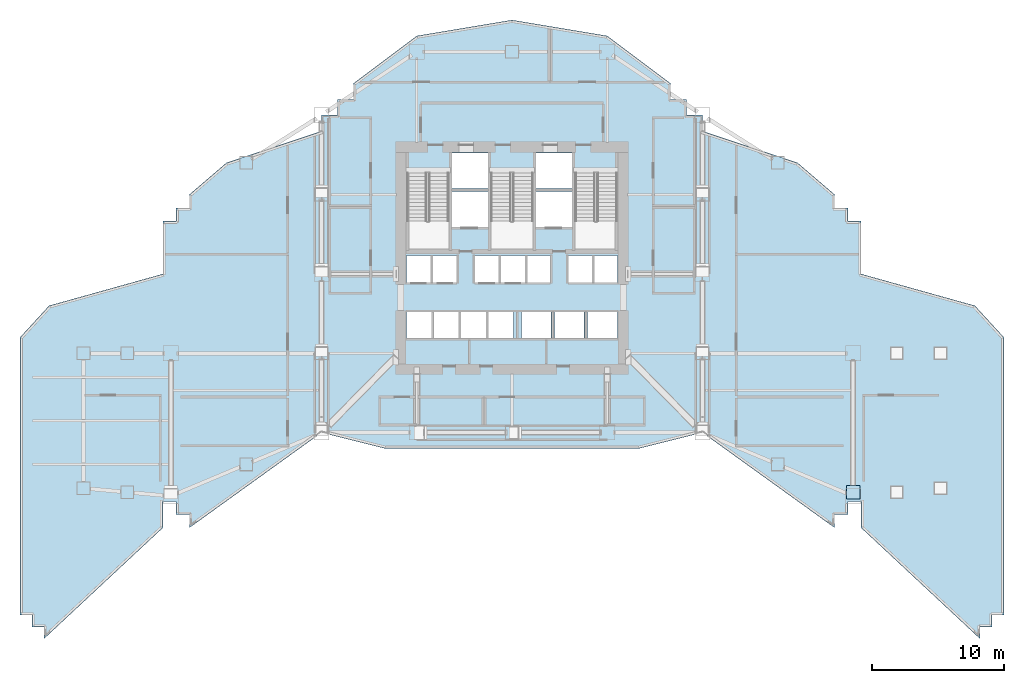
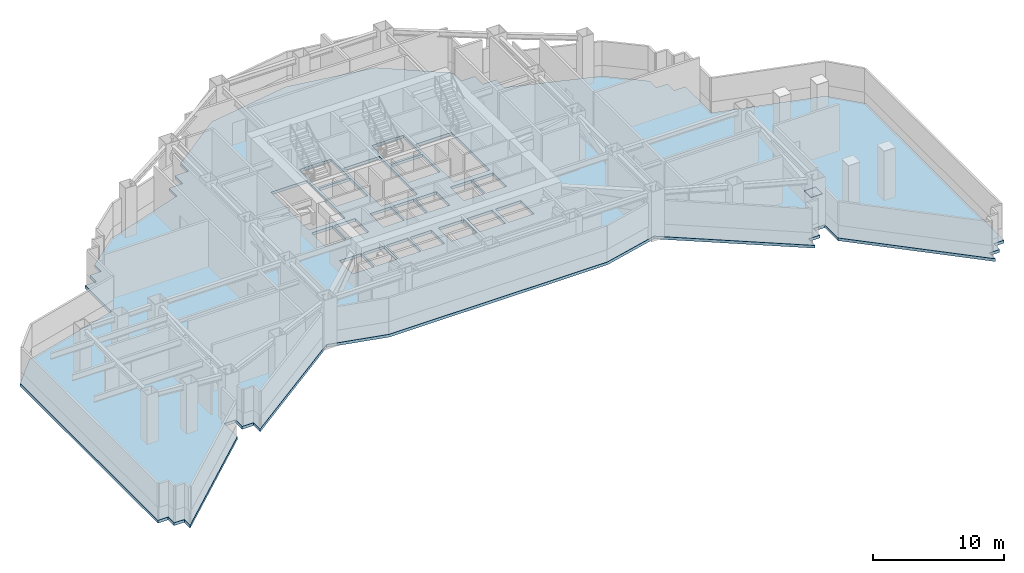
# One storey, part 4 of 23: 1 plate, 1 slab.
"""IFC4 building model written with IfcOpenShell, lengths in metres."""

import ifcopenshell
import ifcopenshell.guid

model = None  # the IFC model being written
_history = None  # IfcOwnerHistory: only IFC2X3 demands one
_inside = {}  # id of a spatial element -> (the spatial element, [elements in it])
_under = {}  # id of a project, library or spatial element -> (it, [spatial elements below it])
_declared = {}  # id of a project -> (the project, [libraries it declares])
_typed = {}  # id of a type object -> (the type object, [elements of that type])
_made_of = {}  # id of a material, layer set ... -> (it, [elements and type objects made of it])


def new_model(schema):
    """Start an empty IFC model of exactly this schema.

    Asked for "IFC4X3", IfcOpenShell would pick the latest addendum, in which some entities
    have other attributes; the version numbers below select the first issue.
    IFC2X3 requires an IfcOwnerHistory on every rooted entity: one is made here for all.
    """
    global model, _history
    if schema == "IFC4X3":
        model = ifcopenshell.file(schema_version=(4, 3, 0, 0))
    else:
        model = ifcopenshell.file(schema=schema)
    _inside.clear()
    _under.clear()
    _declared.clear()
    _typed.clear()
    _made_of.clear()
    _history = None
    if model.schema == "IFC2X3":
        org = make("IfcOrganization", Name="unknown")
        user = make(
            "IfcPersonAndOrganization",
            ThePerson=make("IfcPerson", FamilyName="unknown"),
            TheOrganization=org,
        )
        app = make(
            "IfcApplication",
            ApplicationDeveloper=org,
            Version="unknown",
            ApplicationFullName="unknown",
            ApplicationIdentifier="unknown",
        )
        _history = make(
            "IfcOwnerHistory",
            OwningUser=user,
            OwningApplication=app,
            ChangeAction="ADDED",
            CreationDate=0,
        )
    return model


def make(cls, **values):
    """One entity of the class cls with the attributes given. An attribute that is None is left unset."""
    return model.create_entity(
        cls, **{name: value for name, value in values.items() if value is not None}
    )


def rooted(cls, **values):
    """An entity with a GlobalId (a new one), such as an element, a storey or a relation."""
    return make(cls, GlobalId=ifcopenshell.guid.new(), OwnerHistory=_history, **values)


def si_unit(unit_type, name, prefix=None):
    """IfcSIUnit, for example si_unit("LENGTHUNIT", "METRE", prefix="MILLI")."""
    return make("IfcSIUnit", UnitType=unit_type, Prefix=prefix, Name=name)


def assignment(units):
    """IfcUnitAssignment: the units of a project."""
    return None if units is None else make("IfcUnitAssignment", Units=units)


def point(xyz):
    """IfcCartesianPoint."""
    return None if xyz is None else make("IfcCartesianPoint", Coordinates=xyz)


def direction(xyz):
    """IfcDirection."""
    return None if xyz is None else make("IfcDirection", DirectionRatios=xyz)


def frame(location, z_axis=None, x_axis=None):
    """IfcAxis2Placement3D, a coordinate frame: its origin and axes. An axis left out is left unset."""
    return make(
        "IfcAxis2Placement3D",
        Location=point(location),
        Axis=direction(z_axis),
        RefDirection=direction(x_axis),
    )


def frame_2d(location, x_axis=None):
    """IfcAxis2Placement2D, a coordinate frame in the plane: its origin and x axis."""
    return make(
        "IfcAxis2Placement2D", Location=point(location), RefDirection=direction(x_axis)
    )


def origin():
    """The frame at (0, 0, 0) with its axes left unset."""
    return frame((0.0, 0.0, 0.0))


def origin_2d():
    """The frame at (0, 0) in the plane with its x axis left unset."""
    return frame_2d((0.0, 0.0))


def place(relative_to, where):
    """IfcLocalPlacement: puts the frame where relative to a parent placement (None: the world)."""
    return make(
        "IfcLocalPlacement", PlacementRelTo=relative_to, RelativePlacement=where
    )


def context(
    kind, dimensions, precision=None, world=None, true_north=None, identifier=None
):
    """IfcGeometricRepresentationContext, for example the 3D "Model" context."""
    return make(
        "IfcGeometricRepresentationContext",
        ContextIdentifier=identifier,
        ContextType=kind,
        CoordinateSpaceDimension=dimensions,
        Precision=precision,
        WorldCoordinateSystem=world,
        TrueNorth=true_north,
    )


def subcontext(parent, identifier, kind, view, scale=None):
    """IfcGeometricRepresentationSubContext, for example "Body" below "Model"."""
    return make(
        "IfcGeometricRepresentationSubContext",
        ContextIdentifier=identifier,
        ContextType=kind,
        ParentContext=parent,
        TargetScale=scale,
        TargetView=view,
    )


def project(units=None, contexts=None):
    """IfcProject with its units and contexts."""
    return rooted(
        "IfcProject",
        Name="project",
        RepresentationContexts=contexts,
        UnitsInContext=assignment(units),
    )


def spatial(cls, under=None, at=None, **own):
    """A site, building, storey or space (cls), placed at a placement, below another one or the project."""
    s = rooted(cls, ObjectPlacement=at, **own)
    if under is not None:
        _under.setdefault(under.id(), (under, []))[1].append(s)
    return s


def polyline(points):
    """IfcPolyline through the points."""
    return make("IfcPolyline", Points=[point(p) for p in points])


def profile(cls, at=None, kind="AREA", **sizes):
    """A parametric profile (cls). Its sizes go by their IFC names, for example OverallWidth=200.0."""
    return make(cls, ProfileType=kind, Position=at, **sizes)


def rectangle(**sizes):
    """IfcRectangleProfileDef."""
    return profile("IfcRectangleProfileDef", **sizes)


def outline(outer, holes=None, kind="AREA"):
    """IfcArbitraryClosedProfileDef: a profile drawn as a closed curve; with holes, ...WithVoids."""
    if holes is None:
        return make("IfcArbitraryClosedProfileDef", ProfileType=kind, OuterCurve=outer)
    return make(
        "IfcArbitraryProfileDefWithVoids",
        ProfileType=kind,
        OuterCurve=outer,
        InnerCurves=holes,
    )


def extrude(swept, where, along, depth):
    """IfcExtrudedAreaSolid: the profile swept, set in the frame where, extruded along a direction by depth."""
    return make(
        "IfcExtrudedAreaSolid",
        SweptArea=swept,
        Position=where,
        ExtrudedDirection=direction(along),
        Depth=depth,
    )


def shape(context_of_items, identifier, shape_type, items):
    """IfcShapeRepresentation: the items that make up one representation, for example the "Body"."""
    return make(
        "IfcShapeRepresentation",
        ContextOfItems=context_of_items,
        RepresentationIdentifier=identifier,
        RepresentationType=shape_type,
        Items=items,
    )


def material(Name=None, Category=None):
    """IfcMaterial."""
    return make("IfcMaterial", Name=Name, Category=Category)


def layer(
    of_material, thickness, ventilated=None, Name=None, Category=None, Priority=None
):
    """IfcMaterialLayer: one layer of a wall or slab, of a material (None: an air gap)."""
    return make(
        "IfcMaterialLayer",
        Material=of_material,
        LayerThickness=thickness,
        IsVentilated=ventilated,
        Name=Name,
        Category=Category,
        Priority=Priority,
    )


def layer_set(layers, Name=None):
    """IfcMaterialLayerSet."""
    return make("IfcMaterialLayerSet", MaterialLayers=layers, LayerSetName=Name)


def made_of(thing, what):
    """Note that an element or type object is made of a material, layer set ...; save() writes the relation."""
    if what is not None:
        _made_of.setdefault(what.id(), (what, []))[1].append(thing)
    return thing


def type_object(cls, material=None, **own):
    """A type object (cls), such as IfcWallType, which elements share."""
    return made_of(rooted(cls, **own), material)


def element(
    cls,
    number,
    at=None,
    inside=None,
    cuts=None,
    type_object=None,
    material=None,
    context=None,
    identifier="Body",
    shape_type=None,
    held_by="IfcProductDefinitionShape",
    body=None,
    shapes=None,
    **own,
):
    """One element of the class cls, such as IfcWall. Its Tag is "e" and its number.

    at: its placement. inside: the storey or other place that contains it. cuts: it is an
    opening in that element (IfcRelVoidsElement). A single representation is given by context,
    identifier, shape_type and body (its items); several are given by shapes. held_by: the class
    of the entity that holds the representations. save() writes the other relations.
    """
    e = rooted(cls, Tag="e%d" % number, ObjectPlacement=at, **own)
    if body is not None:
        shapes = [shape(context, identifier, shape_type, body)]
    if shapes is not None:
        e.Representation = make(held_by, Representations=shapes)
    if inside is not None:
        _inside.setdefault(inside.id(), (inside, []))[1].append(e)
    if cuts is not None:
        rooted(
            "IfcRelVoidsElement", RelatingBuildingElement=cuts, RelatedOpeningElement=e
        )
    if type_object is not None:
        _typed.setdefault(type_object.id(), (type_object, []))[1].append(e)
    return made_of(e, material)


def aggregate(whole, parts):
    """IfcRelAggregates: a whole, such as a stair, and the parts it consists of."""
    return rooted("IfcRelAggregates", RelatingObject=whole, RelatedObjects=parts)


def save(model, path):
    """Write the relations noted so far, then the file.

    IfcRelAggregates (storeys below a building ...), IfcRelContainedInSpatialStructure (elements
    in a storey), IfcRelDefinesByType, IfcRelAssociatesMaterial and IfcRelDeclares: one each for
    every whole, place, type object, material and project.
    """
    for whole, parts in _under.values():
        aggregate(whole, parts)
    for where, things in _inside.values():
        rooted(
            "IfcRelContainedInSpatialStructure",
            RelatedElements=things,
            RelatingStructure=where,
        )
    for kind, things in _typed.values():
        rooted("IfcRelDefinesByType", RelatedObjects=things, RelatingType=kind)
    for what, things in _made_of.values():
        rooted("IfcRelAssociatesMaterial", RelatedObjects=things, RelatingMaterial=what)
    for by, libraries in _declared.values():
        rooted("IfcRelDeclares", RelatingContext=by, RelatedDefinitions=libraries)
    model.write(path)


model = new_model("IFC4")

# Units and contexts
model_context = context("Model", 3, precision=1e-05, world=origin(), true_north=direction((0.0, 1.0)))
body_context = subcontext(model_context, "Body", "Model", "MODEL_VIEW")
ifc_project = project(units=[si_unit("LENGTHUNIT", "METRE"), si_unit("AREAUNIT", "SQUARE_METRE"), si_unit("VOLUMEUNIT", "CUBIC_METRE"), si_unit("PLANEANGLEUNIT", "RADIAN"), si_unit("MASSUNIT", "GRAM", prefix="KILO")], contexts=[model_context])

# Site, building, storey
site_placement = place(None, origin())
site = spatial("IfcSite", under=ifc_project, at=site_placement, CompositionType="ELEMENT")
building_placement = place(site_placement, origin())
building = spatial("IfcBuilding", under=site, at=building_placement, Name="Haolan Belvedere Tower", CompositionType="ELEMENT")
storey_placement = place(building_placement, frame((0.0, 0.0, 89.39990234375)))
storey = spatial("IfcBuildingStorey", under=building, at=storey_placement, Name="L22", CompositionType="ELEMENT", Elevation=89.39990234375)

# Plate
ifc_material_1 = material(Name="Steel Q390GJC", Category="steel")
ifc_layer_1 = layer(ifc_material_1, 0.035888671875, Name="Steel Q390GJC")
ifc_layer_set_1 = layer_set([ifc_layer_1], Name="Steel Q390GJC")
plate_type = type_object("IfcPlateType", Name="PL-NODE-NP03", PredefinedType="USERDEFINED", material=ifc_layer_set_1)
plate_placement = place(storey_placement, frame((64.199951171875, 17.08251953125, 2.80224609375), z_axis=(0.0, 0.0, 1.0), x_axis=(1.0, 0.0, 0.0)))
element("IfcPlate", 1, at=plate_placement, inside=storey, type_object=plate_type, Name="NP-03 belt truss node plate L22 BT-T4", ObjectType="GUSSET", PredefinedType="USERDEFINED", context=body_context, shape_type="SweptSolid", body=[
    extrude(rectangle(XDim=1.010009765625, YDim=1.010009765625, at=origin_2d()), origin(), (0.0, 0.0, 1.0), 0.035888671875),
])

# Slab
ifc_material_2 = material(Name="Concrete C45/55", Category="concrete")
ifc_layer_2 = layer(ifc_material_2, 0.260009765625, Name="Concrete C45/55")
ifc_layer_set_2 = layer_set([ifc_layer_2], Name="Concrete C45/55")
slab_type = type_object("IfcSlabType", Name="SL-FLR-260", PredefinedType="FLOOR", material=ifc_layer_set_2)
slab_placement = place(storey_placement, frame((0.0, 0.0, -0.260009765625)))
element("IfcSlab", 2, at=slab_placement, inside=storey, type_object=slab_type, Name="L22 structural floor slab", PredefinedType="FLOOR", context=body_context, shape_type="SweptSolid", body=[
    extrude(outline(polyline([(1.199951171875, 28.800048828125), (1.199951171875, 8.39990234375), (1.199951171875, 7.800048828125), (2.10009765625, 7.800048828125), (2.10009765625, 6.89990234375), (3.0, 6.89990234375), (3.0, 6.0), (12.0, 14.39990234375), (12.0, 16.39990234375), (13.0, 16.39990234375), (13.0, 15.39990234375), (14.0, 15.39990234375), (14.0, 14.39990234375), (24.0, 21.60009765625), (28.800048828125, 20.39990234375), (48.0, 20.39990234375), (52.800048828125, 21.60009765625), (62.800048828125, 14.39990234375), (62.800048828125, 15.39990234375), (63.800048828125, 15.39990234375), (63.800048828125, 16.39990234375), (64.800048828125, 16.39990234375), (64.800048828125, 14.39990234375), (73.800048828125, 6.0), (73.800048828125, 6.89990234375), (74.699951171875, 6.89990234375), (74.699951171875, 7.800048828125), (75.60009765625, 7.800048828125), (75.60009765625, 28.800048828125), (73.39990234375, 31.199951171875), (64.800048828125, 33.60009765625), (64.800048828125, 37.60009765625), (63.800048828125, 37.60009765625), (63.800048828125, 38.60009765625), (62.800048828125, 38.60009765625), (62.800048828125, 39.60009765625), (60.0, 42.0), (52.800048828125, 44.39990234375), (52.800048828125, 45.60009765625), (51.60009765625, 45.60009765625), (51.60009765625, 46.800048828125), (50.39990234375, 46.800048828125), (50.39990234375, 48.0), (45.60009765625, 51.60009765625), (38.39990234375, 52.800048828125), (31.199951171875, 51.60009765625), (26.39990234375, 48.0), (26.39990234375, 46.800048828125), (25.199951171875, 46.800048828125), (25.199951171875, 45.60009765625), (24.0, 45.60009765625), (24.0, 44.39990234375), (16.800048828125, 42.0), (14.0, 39.60009765625), (14.0, 38.60009765625), (13.0, 38.60009765625), (13.0, 37.60009765625), (12.0, 37.60009765625), (12.0, 33.60009765625), (3.39990234375, 31.199951171875), (1.199951171875, 28.800048828125)]), holes=[polyline([(30.449951171875, 41.22998046875), (30.449951171875, 35.449951171875), (33.6298828125, 35.449951171875), (33.6298828125, 41.22998046875), (30.449951171875, 41.22998046875)]), polyline([(36.81005859375, 41.22998046875), (36.81005859375, 35.449951171875), (39.989990234375, 35.449951171875), (39.989990234375, 41.22998046875), (36.81005859375, 41.22998046875)]), polyline([(43.169921875, 41.22998046875), (43.169921875, 35.449951171875), (46.35009765625, 35.449951171875), (46.35009765625, 41.22998046875), (43.169921875, 41.22998046875)]), polyline([(33.830078125, 40.050048828125), (36.610107421875, 40.050048828125), (36.610107421875, 42.75), (33.830078125, 42.75), (33.830078125, 40.050048828125)]), polyline([(33.830078125, 37.14990234375), (36.610107421875, 37.14990234375), (36.610107421875, 39.85009765625), (33.830078125, 39.85009765625), (33.830078125, 37.14990234375)]), polyline([(40.18994140625, 40.050048828125), (42.969970703125, 40.050048828125), (42.969970703125, 42.75), (40.18994140625, 42.75), (40.18994140625, 40.050048828125)]), polyline([(40.18994140625, 37.14990234375), (42.969970703125, 37.14990234375), (42.969970703125, 39.85009765625), (40.18994140625, 39.85009765625), (40.18994140625, 37.14990234375)]), polyline([(30.419921875, 32.949951171875), (32.27001953125, 32.949951171875), (32.27001953125, 35.0), (30.419921875, 35.0), (30.419921875, 32.949951171875)]), polyline([(32.409912109375, 32.949951171875), (34.260009765625, 32.949951171875), (34.260009765625, 35.0), (32.409912109375, 35.0), (32.409912109375, 32.949951171875)]), polyline([(35.56005859375, 32.949951171875), (37.409912109375, 32.949951171875), (37.409912109375, 35.0), (35.56005859375, 35.0), (35.56005859375, 32.949951171875)]), polyline([(37.550048828125, 32.949951171875), (39.39990234375, 32.949951171875), (39.39990234375, 35.0), (37.550048828125, 35.0), (37.550048828125, 32.949951171875)]), polyline([(39.5400390625, 32.949951171875), (41.389892578125, 32.949951171875), (41.389892578125, 35.0), (39.5400390625, 35.0), (39.5400390625, 32.949951171875)]), polyline([(42.6201171875, 32.949951171875), (44.469970703125, 32.949951171875), (44.469970703125, 35.0), (42.6201171875, 35.0), (42.6201171875, 32.949951171875)]), polyline([(44.580078125, 32.949951171875), (46.3798828125, 32.949951171875), (46.3798828125, 35.0), (44.580078125, 35.0), (44.580078125, 32.949951171875)]), polyline([(30.419921875, 28.75), (32.320068359375, 28.75), (32.320068359375, 30.75), (30.419921875, 30.75), (30.419921875, 28.75)]), polyline([(32.47998046875, 28.75), (34.3798828125, 28.75), (34.3798828125, 30.75), (32.47998046875, 30.75), (32.47998046875, 28.75)]), polyline([(34.5400390625, 28.75), (36.43994140625, 28.75), (36.43994140625, 30.75), (34.5400390625, 30.75), (34.5400390625, 28.75)]), polyline([(36.60009765625, 28.75), (38.5, 28.75), (38.5, 30.75), (36.60009765625, 30.75), (36.60009765625, 28.75)]), polyline([(39.10009765625, 28.75), (41.340087890625, 28.75), (41.340087890625, 30.75), (39.10009765625, 30.75), (39.10009765625, 28.75)]), polyline([(41.610107421875, 28.75), (43.85009765625, 28.75), (43.85009765625, 30.75), (41.610107421875, 30.75), (41.610107421875, 28.75)]), polyline([(44.1201171875, 28.75), (46.360107421875, 28.75), (46.360107421875, 30.75), (44.1201171875, 30.75), (44.1201171875, 28.75)])]), origin(), (0.0, 0.0, 1.0), 0.260009765625),
])

save(model, "model.ifc")
